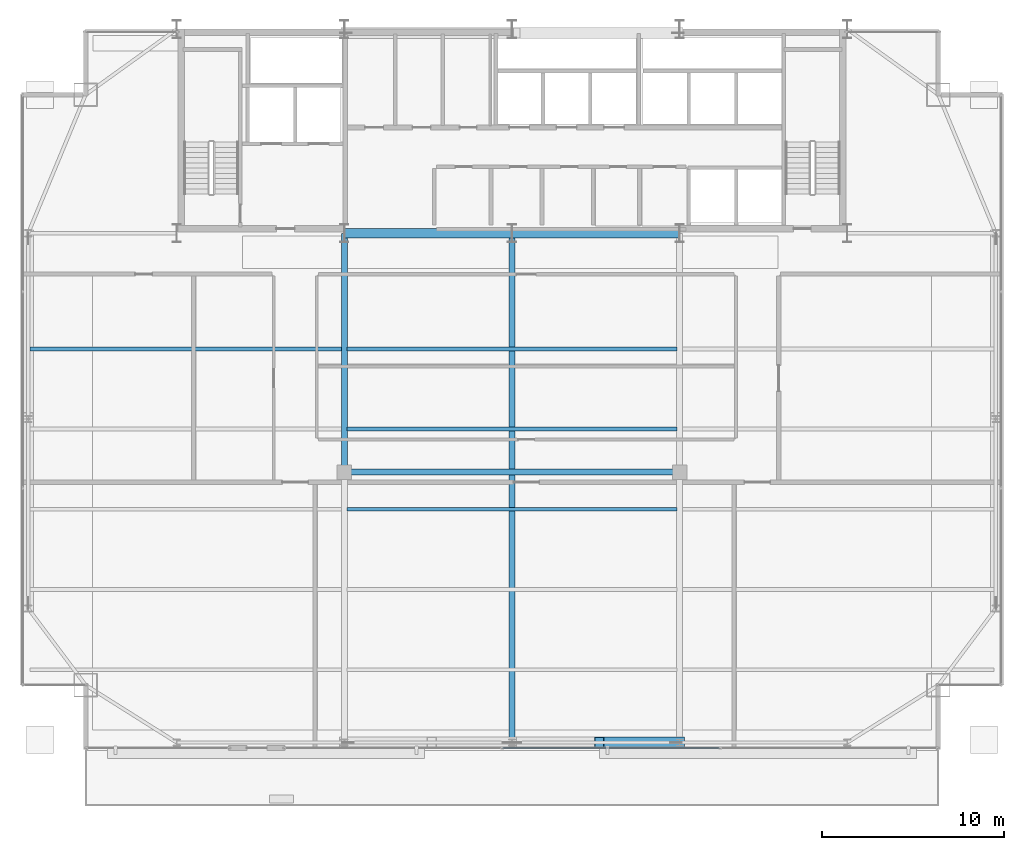
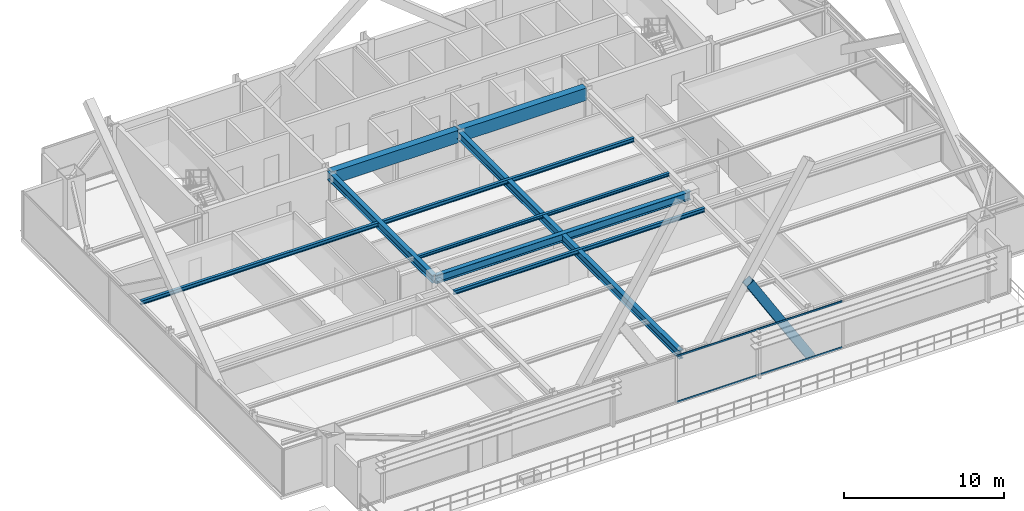
# One storey, part 12 of 33: 9 beams, 3 members, 1 element without a shape of its own.
"""IFC4 building model written with IfcOpenShell, lengths in metres."""

from ifc_helpers import new_model, si_unit, direction, frame, origin, origin_2d, place, context, subcontext, project, spatial, rectangle, hollow_rectangle, i_section, extrude, source, transform, mapped, material, layer, layer_set, material_profile, profile_set, type_object, type_shapes, element, aggregate, save


model = new_model("IFC4")

# Units and contexts
model_context = context("Model", 3, precision=1e-05, world=origin(), true_north=direction((0.0, 1.0)))
body_context = subcontext(model_context, "Body", "Model", "MODEL_VIEW")
ifc_project = project(units=[si_unit("LENGTHUNIT", "METRE"), si_unit("AREAUNIT", "SQUARE_METRE"), si_unit("VOLUMEUNIT", "CUBIC_METRE"), si_unit("PLANEANGLEUNIT", "RADIAN"), si_unit("MASSUNIT", "GRAM", prefix="KILO")], contexts=[model_context])

# Site, building, storey
site_placement = place(None, origin())
site = spatial("IfcSite", under=ifc_project, at=site_placement, CompositionType="ELEMENT")
building_placement = place(site_placement, origin())
building = spatial("IfcBuilding", under=site, at=building_placement, Name="Varnel Quay Broadcast Tower", CompositionType="ELEMENT")
storey_placement = place(building_placement, frame((0.0, 0.0, 145.800048828125)))
storey = spatial("IfcBuildingStorey", under=building, at=storey_placement, Name="L35", CompositionType="ELEMENT", Elevation=145.800048828125)

# Beams
ifc_material_1 = material(Name="Structural Steel CSA G40.21 350W", Category="steel")
ifc_material_profile_1 = material_profile(ifc_material_1, i_section(OverallWidth=0.324951171875, OverallDepth=0.615966796875, WebThickness=0.013916015625, FlangeThickness=0.021484375, FilletRadius=0.01611328125, at=origin_2d()), Name="W610X174")
ifc_profile_set_1 = profile_set([ifc_material_profile_1], Name="Structural Steel CSA G40.21 350W")
beam_type_1 = type_object("IfcBeamType", Name="Girder_W610X174", PredefinedType="BEAM", material=ifc_profile_set_1)
shared_shape_1 = source(origin(), body_context, "Body", "SweptSolid", [
    extrude(i_section(OverallWidth=0.324951171875, OverallDepth=0.615966796875, WebThickness=0.013916015625, FlangeThickness=0.021484375, FilletRadius=0.01611328125, at=origin_2d()), origin(), (0.0, 0.0, 1.0), 13.070068359375),
])
beam_1_placement = place(storey_placement, frame((24.800048828125, 22.510009765625, 3.241943359375), z_axis=(0.0, 1.0, 0.0), x_axis=(-1.0, 0.0, 0.0)))
element("IfcBeam", 1, at=beam_1_placement, inside=storey, type_object=beam_type_1, Name="L35 Primary Girder IC-01-CC-S2", PredefinedType="BEAM", context=body_context, shape_type="MappedRepresentation", body=[
    mapped(shared_shape_1, transform((0.0, 0.0, 0.0), x_axis=(1.0, 0.0, 0.0), y_axis=(0.0, 1.0, 0.0), z_axis=(0.0, 0.0, 1.0), scale=1.0)),
])
shared_shape_2 = source(origin(), body_context, "Body", "SweptSolid", [
    extrude(i_section(OverallWidth=0.324951171875, OverallDepth=0.615966796875, WebThickness=0.013916015625, FlangeThickness=0.021484375, FilletRadius=0.01611328125, at=origin_2d()), origin(), (0.0, 0.0, 1.0), 18.35986328125),
])
beam_2_placement = place(storey_placement, frame((24.820068359375, 22.489990234375, 3.241943359375), z_axis=(1.0, 0.0, 0.0), x_axis=(0.0, 1.0, 0.0)))
element("IfcBeam", 2, at=beam_2_placement, inside=storey, type_object=beam_type_1, Name="L35 Interior Spine Girder", PredefinedType="BEAM", context=body_context, shape_type="MappedRepresentation", body=[
    mapped(shared_shape_2, transform((0.0, 0.0, 0.0), x_axis=(1.0, 0.0, 0.0), y_axis=(0.0, 1.0, 0.0), z_axis=(0.0, 0.0, 1.0), scale=1.0)),
])
shared_shape_3 = source(origin(), body_context, "Body", "SweptSolid", [
    extrude(i_section(OverallWidth=0.324951171875, OverallDepth=0.615966796875, WebThickness=0.013916015625, FlangeThickness=0.021484375, FilletRadius=0.01611328125, at=origin_2d()), origin(), (0.0, 0.0, 1.0), 27.91015625),
])
type_shapes(beam_type_1, [shared_shape_1, shared_shape_2, shared_shape_3])
beam_3_placement = place(storey_placement, frame((34.0, 7.669921875, 3.241943359375), z_axis=(0.0, 1.0, 0.0), x_axis=(-1.0, 0.0, 0.0)))
element("IfcBeam", 3, at=beam_3_placement, inside=storey, type_object=beam_type_1, Name="L35 Central Bay Girder", PredefinedType="BEAM", context=body_context, shape_type="MappedRepresentation", body=[
    mapped(shared_shape_3, transform((0.0, 0.0, 0.0), x_axis=(1.0, 0.0, 0.0), y_axis=(0.0, 1.0, 0.0), z_axis=(0.0, 0.0, 1.0), scale=1.0)),
])
ifc_material_2 = material(Name="Concrete CSA A23.3 C50/60", Category="concrete")
ifc_material_profile_2 = material_profile(ifc_material_2, rectangle(XDim=0.5, YDim=0.949951171875, at=origin_2d()), Name="RC500X950")
ifc_profile_set_2 = profile_set([ifc_material_profile_2], Name="Concrete CSA A23.3 C50/60")
beam_type_2 = type_object("IfcBeamType", Name="Beam_RC500X950", PredefinedType="BEAM", material=ifc_profile_set_2)
shared_shape_4 = source(origin(), body_context, "Body", "SweptSolid", [
    extrude(rectangle(XDim=0.5, YDim=0.949951171875, at=origin_2d()), origin(), (0.0, 0.0, 1.0), 9.159912109375),
])
type_shapes(beam_type_2, [shared_shape_4])
for number, where, z_axis, x_axis, name in (
    (4, (24.820068359375, 35.60009765625, 3.074951171875), (1.0, 0.0, 0.0), (0.0, 1.0, 0.0), "L35 Core Coupling Beam W"),
    (5, (34.02001953125, 35.60009765625, 3.074951171875), (1.0, 0.0, 0.0), (0.0, 1.0, 0.0), "L35 Core Coupling Beam E"),
):
    element("IfcBeam", number, at=place(storey_placement, frame(where, z_axis=z_axis, x_axis=x_axis)), inside=storey, type_object=beam_type_2, Name=name, PredefinedType="BEAM", context=body_context, shape_type="MappedRepresentation", body=[
        mapped(shared_shape_4, transform((0.0, 0.0, 0.0), x_axis=(1.0, 0.0, 0.0), y_axis=(0.0, 1.0, 0.0), z_axis=(0.0, 0.0, 1.0), scale=1.0)),
    ])
ifc_material_profile_3 = material_profile(ifc_material_1, i_section(OverallWidth=0.202880859375, OverallDepth=0.302978515625, WebThickness=0.007568359375, FlangeThickness=0.01318359375, FilletRadius=0.011962890625, at=origin_2d()), Name="W310X60")
ifc_profile_set_3 = profile_set([ifc_material_profile_3], Name="Structural Steel CSA G40.21 350W")
beam_type_3 = type_object("IfcBeamType", Name="Beam_W310X60", PredefinedType="JOIST", material=ifc_profile_set_3)
shared_shape_5 = source(origin(), body_context, "Body", "SweptSolid", [
    extrude(i_section(OverallWidth=0.202880859375, OverallDepth=0.302978515625, WebThickness=0.007568359375, FlangeThickness=0.01318359375, FilletRadius=0.011962890625, at=origin_2d()), origin(), (0.0, 0.0, 1.0), 17.107177734375),
])
beam_4_placement = place(storey_placement, frame((7.535400390625, 29.25, 3.3984375), z_axis=(1.0, 0.0, 0.0), x_axis=(0.0, 1.0, 0.0)))
element("IfcBeam", 6, at=beam_4_placement, inside=storey, type_object=beam_type_3, Name="L35 West Floor Joist 5", PredefinedType="JOIST", context=body_context, shape_type="MappedRepresentation", body=[
    mapped(shared_shape_5, transform((0.0, 0.0, 0.0), x_axis=(1.0, 0.0, 0.0), y_axis=(0.0, 1.0, 0.0), z_axis=(0.0, 0.0, 1.0), scale=1.0)),
])
shared_shape_6 = source(origin(), body_context, "Body", "SweptSolid", [
    extrude(i_section(OverallWidth=0.202880859375, OverallDepth=0.302978515625, WebThickness=0.007568359375, FlangeThickness=0.01318359375, FilletRadius=0.011962890625, at=origin_2d()), origin(), (0.0, 0.0, 1.0), 18.0849609375),
])
type_shapes(beam_type_3, [shared_shape_5, shared_shape_6])
for number, where, z_axis, x_axis, name in (
    (7, (24.95751953125, 20.449951171875, 3.3984375), (1.0, 0.0, 0.0), (0.0, 1.0, 0.0), "L35 Central Floor Joist 3"),
    (8, (24.95751953125, 29.25, 3.3984375), (1.0, 0.0, 0.0), (0.0, 1.0, 0.0), "L35 Central Floor Joist 5"),
):
    element("IfcBeam", number, at=place(storey_placement, frame(where, z_axis=z_axis, x_axis=x_axis)), inside=storey, type_object=beam_type_3, Name=name, PredefinedType="JOIST", context=body_context, shape_type="MappedRepresentation", body=[
        mapped(shared_shape_6, transform((0.0, 0.0, 0.0), x_axis=(1.0, 0.0, 0.0), y_axis=(0.0, 1.0, 0.0), z_axis=(0.0, 0.0, 1.0), scale=1.0)),
    ])
ifc_material_profile_4 = material_profile(ifc_material_1, i_section(OverallWidth=0.201904296875, OverallDepth=0.2470703125, WebThickness=0.00732421875, FlangeThickness=0.010986328125, FilletRadius=0.010986328125, at=origin_2d()), Name="W250X49")
ifc_profile_set_4 = profile_set([ifc_material_profile_4], Name="Structural Steel CSA G40.21 350W")
beam_type_4 = type_object("IfcBeamType", Name="Beam_W250X49", PredefinedType="JOIST", material=ifc_profile_set_4)
shared_shape_7 = source(origin(), body_context, "Body", "SweptSolid", [
    extrude(i_section(OverallWidth=0.201904296875, OverallDepth=0.2470703125, WebThickness=0.00732421875, FlangeThickness=0.010986328125, FilletRadius=0.010986328125, at=origin_2d()), origin(), (0.0, 0.0, 1.0), 18.0849609375),
])
type_shapes(beam_type_4, [shared_shape_7])
beam_5_placement = place(storey_placement, frame((24.95751953125, 24.85009765625, 3.426513671875), z_axis=(1.0, 0.0, 0.0), x_axis=(0.0, 1.0, 0.0)))
element("IfcBeam", 9, at=beam_5_placement, inside=storey, type_object=beam_type_4, Name="L35 Central Floor Joist 4", PredefinedType="JOIST", context=body_context, shape_type="MappedRepresentation", body=[
    mapped(shared_shape_7, transform((0.0, 0.0, 0.0), x_axis=(1.0, 0.0, 0.0), y_axis=(0.0, 1.0, 0.0), z_axis=(0.0, 0.0, 1.0), scale=1.0)),
])

# Member
ifc_material_3 = material(Name="Structural Steel CSA G40.21 350WT", Category="steel")
ifc_material_profile_5 = material_profile(ifc_material_3, hollow_rectangle(XDim=0.60009765625, YDim=0.60009765625, WallThickness=0.028076171875, at=origin_2d()), Name="BOX600X600X28")
ifc_profile_set_5 = profile_set([ifc_material_profile_5], Name="Structural Steel CSA G40.21 350WT")
member_type_1 = type_object("IfcMemberType", Name="Brace_BOX600X600X28", PredefinedType="BRACE", material=ifc_profile_set_5)
shared_shape_8 = source(origin(), body_context, "Body", "SweptSolid", [
    extrude(hollow_rectangle(XDim=0.60009765625, YDim=0.60009765625, WallThickness=0.028076171875, at=origin_2d()), origin(), (0.0, 0.0, 1.0), 8.399169921875),
])
type_shapes(member_type_1, [shared_shape_8])
member_1_placement = place(storey_placement, frame((43.199951171875, 7.64990234375, 0.02001953125), z_axis=(-0.525125243666, 0.0, 0.851024957604), x_axis=(0.0, -1.0, 0.0)))
element("IfcMember", 10, at=member_1_placement, inside=storey, type_object=member_type_1, Name="Zone 3 Mega-Brace S-C2T1 Split Diag B1", PredefinedType="BRACE", context=body_context, shape_type="MappedRepresentation", body=[
    mapped(shared_shape_8, transform((0.0, 0.0, 0.0), x_axis=(1.0, 0.0, 0.0), y_axis=(0.0, 1.0, 0.0), z_axis=(0.0, 0.0, 1.0), scale=1.0)),
])

# Curtain wall, members
ifc_material_4 = material(Name="Anodised Bronze Aluminium 6063-T6", Category="aluminium")
ifc_layer = layer(ifc_material_4, 0.18994140625, Name="Anodised Bronze Aluminium 6063-T6")
ifc_layer_set = layer_set([ifc_layer], Name="Anodised Bronze Aluminium 6063-T6")
curtain_wall_type = type_object("IfcCurtainWallType", Name="CW_UpperTower", PredefinedType="NOTDEFINED", material=ifc_layer_set)
curtain_wall_placement = place(storey_placement, origin())
curtain_wall = element("IfcCurtainWall", 11, at=curtain_wall_placement, inside=storey, type_object=curtain_wall_type, Name="L35 South Unitised Curtain Wall 2", PredefinedType="NOTDEFINED")
ifc_material_profile_6 = material_profile(ifc_material_4, hollow_rectangle(XDim=0.06005859375, YDim=0.125, WallThickness=0.0029296875, at=origin_2d()), Name="ALU60X125X3")
ifc_profile_set_6 = profile_set([ifc_material_profile_6], Name="Anodised Bronze Aluminium 6063-T6")
member_type_2 = type_object("IfcMemberType", Name="Tran_CWS-03", PredefinedType="USERDEFINED", material=ifc_profile_set_6)
shared_shape_9 = source(origin(), body_context, "Body", "SweptSolid", [
    extrude(hollow_rectangle(XDim=0.06005859375, YDim=0.125, WallThickness=0.0029296875, at=origin_2d()), origin(), (0.0, 0.0, 1.0), 11.908447265625),
])
type_shapes(member_type_2, [shared_shape_9])
member_2_placement = place(storey_placement, frame((33.48583984375, 7.35009765625, 0.030029296875), z_axis=(1.0, 0.0, 0.0), x_axis=(0.0, 1.0, 0.0)))
member_2 = element("IfcMember", 12, at=member_2_placement, type_object=member_type_2, Name="CWS-03 transom 2.1", ObjectType="TRANSOM", PredefinedType="USERDEFINED", context=body_context, shape_type="MappedRepresentation", body=[
    mapped(shared_shape_9, transform((0.0, 0.0, 0.0), x_axis=(1.0, 0.0, 0.0), y_axis=(0.0, 1.0, 0.0), z_axis=(0.0, 0.0, 1.0), scale=1.0)),
])
member_3_placement = place(storey_placement, frame((33.48583984375, 7.35009765625, 3.52001953125), z_axis=(1.0, 0.0, 0.0), x_axis=(0.0, 1.0, 0.0)))
member_3 = element("IfcMember", 13, at=member_3_placement, type_object=member_type_2, Name="CWS-03 transom 2.2", ObjectType="TRANSOM", PredefinedType="USERDEFINED", context=body_context, shape_type="MappedRepresentation", body=[
    mapped(shared_shape_9, transform((0.0, 0.0, 0.0), x_axis=(1.0, 0.0, 0.0), y_axis=(0.0, 1.0, 0.0), z_axis=(0.0, 0.0, 1.0), scale=1.0)),
])
aggregate(curtain_wall, [member_2, member_3])

save(model, "model.ifc")
